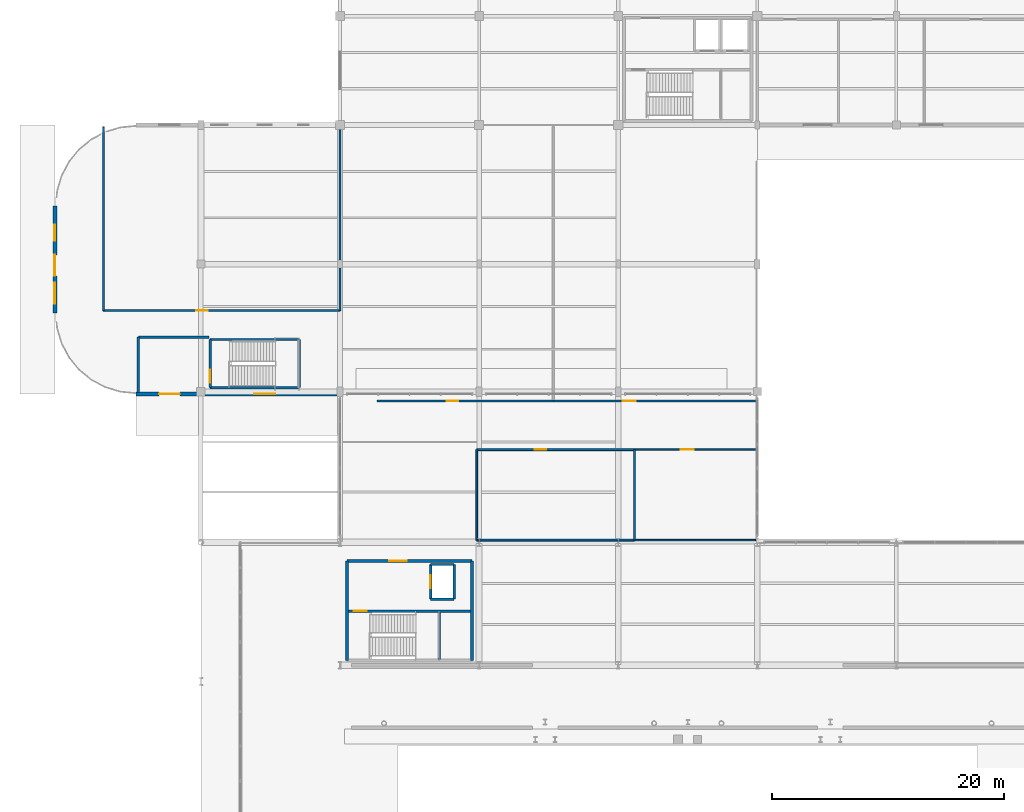
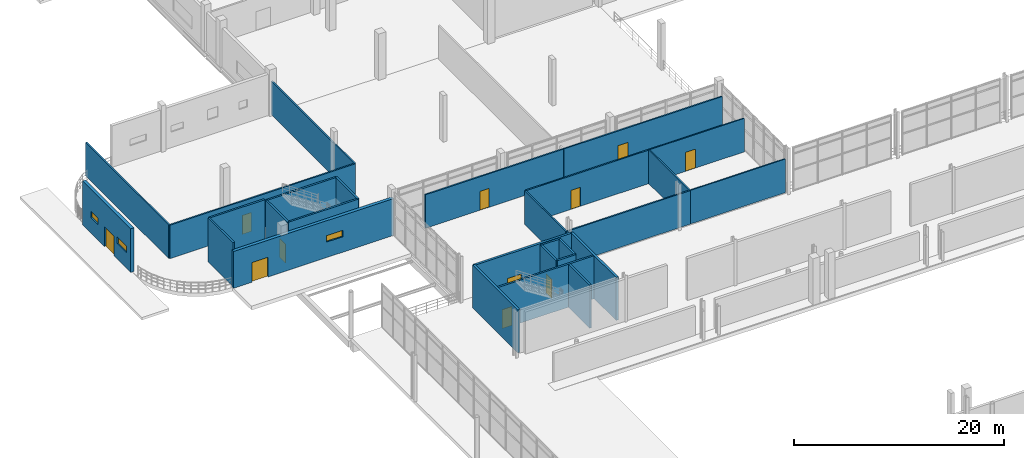
# One storey, part 59 of 85: 28 walls, 11 doors, 3 windows, 14 openings.
"""IFC4 building model written with IfcOpenShell, lengths in metres."""

from ifc_helpers import new_model, si_unit, direction, frame, frame_2d, origin, place, context, subcontext, project, spatial, rectangle, extrude, material, layer, layer_set, type_object, element, fill, save


model = new_model("IFC4")

# Units and contexts
model_context = context("Model", 3, precision=1e-05, world=origin(), true_north=direction((0.0, 1.0)))
body_context = subcontext(model_context, "Body", "Model", "MODEL_VIEW")
ifc_project = project(units=[si_unit("LENGTHUNIT", "METRE"), si_unit("AREAUNIT", "SQUARE_METRE"), si_unit("VOLUMEUNIT", "CUBIC_METRE"), si_unit("PLANEANGLEUNIT", "RADIAN"), si_unit("MASSUNIT", "GRAM", prefix="KILO"), si_unit("THERMODYNAMICTEMPERATUREUNIT", "KELVIN"), si_unit("POWERUNIT", "WATT")], contexts=[model_context])

# Site, building, storey
site_placement = place(None, origin())
site = spatial("IfcSite", under=ifc_project, at=site_placement, CompositionType="ELEMENT")
building_placement = place(site_placement, origin())
building = spatial("IfcBuilding", under=site, at=building_placement, Name="Solmara Park Aquatics Centre", CompositionType="ELEMENT")
storey_placement = place(building_placement, origin())
storey = spatial("IfcBuildingStorey", under=building, at=storey_placement, Name="L00", CompositionType="ELEMENT", Elevation=0.0)

# Wall
ifc_material_1 = material(Name="Double-Stud Acoustic Gypsum Partition", Category="gypsum")
ifc_layer_1 = layer(ifc_material_1, 0.139892578125, Name="Double-Stud Acoustic Gypsum Partition")
ifc_layer_set_1 = layer_set([ifc_layer_1], Name="Double-Stud Acoustic Gypsum Partition")
wall_type_1 = type_object("IfcWallType", Name="ARC-WL-ACU140", PredefinedType="PARTITIONING", material=ifc_layer_set_1)
wall_1_placement = place(storey_placement, frame((50.010009765625, 72.800048828125, 0.0), z_axis=(0.0, 0.0, 1.0), x_axis=(1.0, 0.0, 0.0)))
element("IfcWall", 1, at=wall_1_placement, inside=storey, type_object=wall_type_1, Name="Interior Partition IW-L00-0071 (L00-DOP-01)", PredefinedType="PARTITIONING", context=body_context, shape_type="SweptSolid", body=[
    extrude(rectangle(XDim=10.43994140625, YDim=0.139892578125, at=frame_2d((5.219970703125, 0.0))), origin(), (0.0, 0.0, 1.0), 3.89990234375),
])

# Wall, opening, door
wall_2_placement = place(storey_placement, frame((50.010009765625, 80.60009765625, 0.0), z_axis=(0.0, 0.0, 1.0), x_axis=(1.0, 0.0, 0.0)))
wall_2 = element("IfcWall", 2, at=wall_2_placement, inside=storey, type_object=wall_type_1, Name="Interior Partition IW-L00-0072 (L00-DOP-01)", PredefinedType="PARTITIONING", context=body_context, shape_type="SweptSolid", body=[
    extrude(rectangle(XDim=10.43994140625, YDim=0.139892578125, at=frame_2d((5.219970703125, 0.0))), origin(), (0.0, 0.0, 1.0), 3.89990234375),
])
opening_1_placement = place(wall_2_placement, frame((3.989990234375, 0.0, 0.0)))
opening_1 = element("IfcOpeningElement", 3, at=opening_1_placement, cuts=wall_2, Name="Opening D-15", PredefinedType="OPENING", context=body_context, shape_type="SweptSolid", body=[
    extrude(rectangle(XDim=1.10009765625, YDim=2.199951171875, at=frame_2d((0.550048828125, 1.10009765625))), frame((0.0, 0.079833984375, 0.0), z_axis=(0.0, -1.0, 0.0), x_axis=(1.0, 0.0, 0.0)), (0.0, 0.0, 1.0), 0.159912109375),
])
ifc_material_2 = material(Name="Moisture-Resistant HPL & Hardwood", Category="wood")
door_type_1 = type_object("IfcDoorType", Name="ARC-DR-SGL110x220", OperationType="NOTDEFINED", PredefinedType="DOOR", material=ifc_material_2)
door_1_placement = place(opening_1_placement, origin())
door_1 = element("IfcDoor", 4, at=door_1_placement, inside=storey, type_object=door_type_1, Name="Doping Control, Specimen Chaperone and First Aid Medical Suite Door", OperationType="SINGLE_SWING_RIGHT", OverallHeight=2.199951171875, OverallWidth=1.10009765625, PredefinedType="DOOR", context=body_context, shape_type="SweptSolid", body=[
    extrude(rectangle(XDim=1.10009765625, YDim=2.199951171875, at=frame_2d((0.550048828125, 1.10009765625))), frame((0.0, 0.02490234375, 0.0), z_axis=(0.0, -1.0, 0.0), x_axis=(1.0, 0.0, 0.0)), (0.0, 0.0, 1.0), 0.050048828125),
])
fill(opening_1, door_1)

ifc_material_3 = material(Name="Concrete C40/50", Category="concrete")
ifc_layer_2 = layer(ifc_material_3, 0.25, Name="Concrete C40/50")
ifc_layer_set_2 = layer_set([ifc_layer_2], Name="Concrete C40/50")
wall_type_2 = type_object("IfcWallType", Name="ARC-WL-CORE250", PredefinedType="SHEAR", material=ifc_layer_set_2)
wall_3_placement = place(storey_placement, frame((25.199951171875, 71.0, 0.0), z_axis=(0.0, 0.0, 1.0), x_axis=(1.0, 0.0, 0.0)))
wall_3 = element("IfcWall", 5, at=wall_3_placement, inside=storey, type_object=wall_type_2, Name="CORE-4 Core Wall N L00", PredefinedType="SHEAR", context=body_context, shape_type="SweptSolid", body=[
    extrude(rectangle(XDim=10.800048828125, YDim=0.25, at=frame_2d((5.39990234375, 0.0))), origin(), (0.0, 0.0, 1.0), 5.0),
])
opening_2_placement = place(wall_3_placement, frame((3.64990234375, 0.0, 0.0)))
opening_2 = element("IfcOpeningElement", 6, at=opening_2_placement, cuts=wall_3, Name="Opening D-12", PredefinedType="OPENING", context=body_context, shape_type="SweptSolid", body=[
    extrude(rectangle(XDim=1.5, YDim=2.199951171875, at=frame_2d((0.75, 1.10009765625))), frame((0.0, 0.135009765625, 0.0), z_axis=(0.0, -1.0, 0.0), x_axis=(1.0, 0.0, 0.0)), (0.0, 0.0, 1.0), 0.27001953125),
])
door_type_2 = type_object("IfcDoorType", Name="ARC-DR-FD150x220", OperationType="DOUBLE_DOOR_SINGLE_SWING", PredefinedType="DOOR", material=ifc_material_2)
door_2_placement = place(opening_2_placement, origin())
door_2 = element("IfcDoor", 7, at=door_2_placement, inside=storey, type_object=door_type_2, Name="CORE-4 Lobby Entry Fire Door L00", OperationType="DOUBLE_DOOR_SINGLE_SWING", OverallHeight=2.199951171875, OverallWidth=1.5, PredefinedType="DOOR", context=body_context, shape_type="SweptSolid", body=[
    extrude(rectangle(XDim=1.5, YDim=2.199951171875, at=frame_2d((0.75, 1.10009765625))), frame((0.0, 0.02490234375, 0.0), z_axis=(0.0, -1.0, 0.0), x_axis=(1.0, 0.0, 0.0)), (0.0, 0.0, 1.0), 0.050048828125),
])
fill(opening_2, door_2)

# Walls
for number, where, z_axis, x_axis, name in (
    (8, (25.199951171875, 62.39990234375, 0.0), (0.0, 0.0, 1.0), (0.0, 1.0, 0.0), "CORE-4 Core Wall W L00"),
    (9, (36.0, 62.39990234375, 0.0), (0.0, 0.0, 1.0), (0.0, 1.0, 0.0), "CORE-4 Core Wall E L00"),
):
    element("IfcWall", number, at=place(storey_placement, frame(where, z_axis=z_axis, x_axis=x_axis)), inside=storey, type_object=wall_type_2, Name=name, PredefinedType="SHEAR", context=body_context, shape_type="SweptSolid", body=[
        extrude(rectangle(XDim=8.60009765625, YDim=0.25, at=frame_2d((4.300048828125, 0.0))), origin(), (0.0, 0.0, 1.0), 5.0),
    ])

# Wall, openings, door, window
ifc_material_4 = material(Name="Insulated Limestone Render Wall", Category="masonry")
ifc_layer_3 = layer(ifc_material_4, 0.35009765625, Name="Insulated Limestone Render Wall")
ifc_layer_set_3 = layer_set([ifc_layer_3], Name="Insulated Limestone Render Wall")
wall_type_3 = type_object("IfcWallType", Name="ARC-WL-EXT350", PredefinedType="SOLIDWALL", material=ifc_layer_set_3)
wall_4_placement = place(storey_placement, frame((7.0, 85.39990234375, 0.0), z_axis=(0.0, 0.0, 1.0), x_axis=(1.0, 0.0, 0.0)))
wall_4 = element("IfcWall", 10, at=wall_4_placement, inside=storey, type_object=wall_type_3, Name="Exterior Facade Wall EW-L00-011", PredefinedType="SOLIDWALL", context=body_context, shape_type="SweptSolid", body=[
    extrude(rectangle(XDim=17.60009765625, YDim=0.35009765625, at=frame_2d((8.800048828125, 0.0))), origin(), (0.0, 0.0, 1.0), 4.280029296875),
])
opening_3_placement = place(wall_4_placement, frame((2.0, 0.0, 0.0)))
opening_3 = element("IfcOpeningElement", 11, at=opening_3_placement, cuts=wall_4, Name="Opening D-03", PredefinedType="OPENING", context=body_context, shape_type="SweptSolid", body=[
    extrude(rectangle(XDim=1.800048828125, YDim=2.300048828125, at=frame_2d((0.89990234375, 1.14990234375))), frame((0.0, 0.18505859375, 0.0), z_axis=(0.0, -1.0, 0.0), x_axis=(1.0, 0.0, 0.0)), (0.0, 0.0, 1.0), 0.3701171875),
])
opening_4_placement = place(wall_4_placement, frame((10.199951171875, 0.0, 1.800048828125)))
opening_4 = element("IfcOpeningElement", 12, at=opening_4_placement, cuts=wall_4, Name="Opening W-30", PredefinedType="OPENING", context=body_context, shape_type="SweptSolid", body=[
    extrude(rectangle(XDim=1.800048828125, YDim=0.75, at=frame_2d((0.89990234375, 0.375))), frame((0.0, 0.18505859375, 0.0), z_axis=(0.0, -1.0, 0.0), x_axis=(1.0, 0.0, 0.0)), (0.0, 0.0, 1.0), 0.3701171875),
])
ifc_material_5 = material(Name="Thermally Broken Powder-Coated Aluminium and Laminated Glass", Category="aluminium")
door_type_3 = type_object("IfcDoorType", Name="ARC-DR-EXT180x230", OperationType="DOUBLE_DOOR_SINGLE_SWING", PredefinedType="DOOR", material=ifc_material_5)
door_3_placement = place(opening_3_placement, frame((1.800048828125, 0.0, 0.0), z_axis=(0.0, 0.0, 1.0), x_axis=(-1.0, 0.0, 0.0)))
door_3 = element("IfcDoor", 13, at=door_3_placement, inside=storey, type_object=door_type_3, Name="ST-08 Oasis Court Final Exit (EX-13)", OperationType="DOUBLE_DOOR_SINGLE_SWING", OverallHeight=2.300048828125, OverallWidth=1.800048828125, PredefinedType="DOOR", context=body_context, shape_type="SweptSolid", body=[
    extrude(rectangle(XDim=1.800048828125, YDim=2.300048828125, at=frame_2d((0.89990234375, 1.14990234375))), frame((0.0, 0.02490234375, 0.0), z_axis=(0.0, -1.0, 0.0), x_axis=(1.0, 0.0, 0.0)), (0.0, 0.0, 1.0), 0.050048828125),
])
fill(opening_3, door_3)
ifc_material_6 = material(Name="Thermally Broken Aluminium and Low-E Double Glazing", Category="aluminium")
window_type_1 = type_object("IfcWindowType", Name="ARC-WN-180x075", PartitioningType="SINGLE_PANEL", PredefinedType="WINDOW", material=ifc_material_6)
window_1_placement = place(opening_4_placement, frame((1.800048828125, 0.0, 0.0), z_axis=(0.0, 0.0, 1.0), x_axis=(-1.0, 0.0, 0.0)))
window_1 = element("IfcWindow", 14, at=window_1_placement, inside=storey, type_object=window_type_1, Name="Ribbon Window WN-025", OverallHeight=0.75, OverallWidth=1.800048828125, PartitioningType="SINGLE_PANEL", PredefinedType="WINDOW", context=body_context, shape_type="SweptSolid", body=[
    extrude(rectangle(XDim=1.800048828125, YDim=0.75, at=frame_2d((0.89990234375, 0.375))), frame((0.0, 0.030029296875, 0.0), z_axis=(0.0, -1.0, 0.0), x_axis=(1.0, 0.0, 0.0)), (0.0, 0.0, 1.0), 0.06005859375),
])
fill(opening_4, window_1)

# Wall, openings, door, windows
wall_5_placement = place(storey_placement, frame((0.0, 92.39990234375, 0.0), z_axis=(0.0, 0.0, 1.0), x_axis=(0.0, 1.0, 0.0)))
wall_5 = element("IfcWall", 15, at=wall_5_placement, inside=storey, type_object=wall_type_3, Name="Exterior Facade Wall EW-L00-013", PredefinedType="SOLIDWALL", context=body_context, shape_type="SweptSolid", body=[
    extrude(rectangle(XDim=9.2001953125, YDim=0.35009765625, at=frame_2d((4.60009765625, 0.0))), origin(), (0.0, 0.0, 1.0), 5.080078125),
])
opening_5_placement = place(wall_5_placement, frame((3.199951171875, 0.0, 0.0)))
opening_5 = element("IfcOpeningElement", 16, at=opening_5_placement, cuts=wall_5, Name="Opening D-03", PredefinedType="OPENING", context=body_context, shape_type="SweptSolid", body=[
    extrude(rectangle(XDim=1.800048828125, YDim=2.300048828125, at=frame_2d((0.89990234375, 1.14990234375))), frame((0.0, 0.18505859375, 0.0), z_axis=(0.0, -1.0, 0.0), x_axis=(1.0, 0.0, 0.0)), (0.0, 0.0, 1.0), 0.3701171875),
])
opening_6_placement = place(wall_5_placement, frame((0.800048828125, 0.0, 1.800048828125)))
opening_6 = element("IfcOpeningElement", 17, at=opening_6_placement, cuts=wall_5, Name="Opening W-30", PredefinedType="OPENING", context=body_context, shape_type="SweptSolid", body=[
    extrude(rectangle(XDim=1.800048828125, YDim=0.75, at=frame_2d((0.89990234375, 0.375))), frame((0.0, 0.18505859375, 0.0), z_axis=(0.0, -1.0, 0.0), x_axis=(1.0, 0.0, 0.0)), (0.0, 0.0, 1.0), 0.3701171875),
])
opening_7_placement = place(wall_5_placement, frame((6.199951171875, 0.0, 1.800048828125)))
opening_7 = element("IfcOpeningElement", 18, at=opening_7_placement, cuts=wall_5, Name="Opening W-31", PredefinedType="OPENING", context=body_context, shape_type="SweptSolid", body=[
    extrude(rectangle(XDim=1.39990234375, YDim=0.75, at=frame_2d((0.699951171875, 0.375))), frame((0.0, 0.18505859375, 0.0), z_axis=(0.0, -1.0, 0.0), x_axis=(1.0, 0.0, 0.0)), (0.0, 0.0, 1.0), 0.3701171875),
])
door_4_placement = place(opening_5_placement, origin())
door_4 = element("IfcDoor", 19, at=door_4_placement, inside=storey, type_object=door_type_3, Name="West Changing ST-08 Final Exit (EX-14)", OperationType="DOUBLE_DOOR_SINGLE_SWING", OverallHeight=2.300048828125, OverallWidth=1.800048828125, PredefinedType="DOOR", context=body_context, shape_type="SweptSolid", body=[
    extrude(rectangle(XDim=1.800048828125, YDim=2.300048828125, at=frame_2d((0.89990234375, 1.14990234375))), frame((0.0, 0.02490234375, 0.0), z_axis=(0.0, -1.0, 0.0), x_axis=(1.0, 0.0, 0.0)), (0.0, 0.0, 1.0), 0.050048828125),
])
fill(opening_5, door_4)
window_type_2 = type_object("IfcWindowType", Name="ARC-WN-140x075", PartitioningType="SINGLE_PANEL", PredefinedType="WINDOW", material=ifc_material_6)
window_2_placement = place(opening_7_placement, origin())
window_2 = element("IfcWindow", 20, at=window_2_placement, inside=storey, type_object=window_type_2, Name="Ribbon Window WN-029", OverallHeight=0.75, OverallWidth=1.39990234375, PartitioningType="SINGLE_PANEL", PredefinedType="WINDOW", context=body_context, shape_type="SweptSolid", body=[
    extrude(rectangle(XDim=1.39990234375, YDim=0.75, at=frame_2d((0.699951171875, 0.375))), frame((0.0, 0.030029296875, 0.0), z_axis=(0.0, -1.0, 0.0), x_axis=(1.0, 0.0, 0.0)), (0.0, 0.0, 1.0), 0.06005859375),
])
fill(opening_7, window_2)
window_3_placement = place(opening_6_placement, origin())
window_3 = element("IfcWindow", 21, at=window_3_placement, inside=storey, type_object=window_type_1, Name="Ribbon Window WN-028", OverallHeight=0.75, OverallWidth=1.800048828125, PartitioningType="SINGLE_PANEL", PredefinedType="WINDOW", context=body_context, shape_type="SweptSolid", body=[
    extrude(rectangle(XDim=1.800048828125, YDim=0.75, at=frame_2d((0.89990234375, 0.375))), frame((0.0, 0.030029296875, 0.0), z_axis=(0.0, -1.0, 0.0), x_axis=(1.0, 0.0, 0.0)), (0.0, 0.0, 1.0), 0.06005859375),
])
fill(opening_6, window_3)

# Wall, opening, door
ifc_material_7 = material(Name="Concrete C25/30 Autoclaved Aerated Fire Blockwork", Category="masonry")
ifc_layer_4 = layer(ifc_material_7, 0.199951171875, Name="Concrete C25/30 Autoclaved Aerated Fire Blockwork")
ifc_layer_set_4 = layer_set([ifc_layer_4], Name="Concrete C25/30 Autoclaved Aerated Fire Blockwork")
wall_type_4 = type_object("IfcWallType", Name="ARC-WL-FIRE200", PredefinedType="SOLIDWALL", material=ifc_layer_set_4)
wall_6_placement = place(storey_placement, frame((32.419921875, 67.699951171875, 0.0), z_axis=(0.0, 0.0, 1.0), x_axis=(0.0, 1.0, 0.0)))
wall_6 = element("IfcWall", 22, at=wall_6_placement, inside=storey, type_object=wall_type_4, Name="CORE-4 Lift Shaft Front Wall L00", PredefinedType="SOLIDWALL", context=body_context, shape_type="SweptSolid", body=[
    extrude(rectangle(XDim=3.0, YDim=0.199951171875, at=frame_2d((1.5, 0.0))), origin(), (0.0, 0.0, 1.0), 5.0),
])
opening_8_placement = place(wall_6_placement, frame((0.949951171875, 0.0, 0.0)))
opening_8 = element("IfcOpeningElement", 23, at=opening_8_placement, cuts=wall_6, Name="Opening D-09", PredefinedType="OPENING", context=body_context, shape_type="SweptSolid", body=[
    extrude(rectangle(XDim=1.10009765625, YDim=2.199951171875, at=frame_2d((0.550048828125, 1.10009765625))), frame((0.0, 0.10986328125, 0.0), z_axis=(0.0, -1.0, 0.0), x_axis=(1.0, 0.0, 0.0)), (0.0, 0.0, 1.0), 0.219970703125),
])
ifc_material_8 = material(Name="Stainless Steel", Category="steel")
door_type_4 = type_object("IfcDoorType", Name="ARC-DR-LD110x220", OperationType="DOUBLE_DOOR_SLIDING", PredefinedType="DOOR", material=ifc_material_8)
door_5_placement = place(opening_8_placement, origin())
door_5 = element("IfcDoor", 24, at=door_5_placement, inside=storey, type_object=door_type_4, Name="LF-06 Lift Landing Door L00", OperationType="DOUBLE_DOOR_SLIDING", OverallHeight=2.199951171875, OverallWidth=1.10009765625, PredefinedType="DOOR", context=body_context, shape_type="SweptSolid", body=[
    extrude(rectangle(XDim=1.10009765625, YDim=2.199951171875, at=frame_2d((0.550048828125, 1.10009765625))), frame((0.0, 0.02490234375, 0.0), z_axis=(0.0, -1.0, 0.0), x_axis=(1.0, 0.0, 0.0)), (0.0, 0.0, 1.0), 0.050048828125),
])
fill(opening_8, door_5)

# Walls
wall_7_placement = place(storey_placement, frame((34.449951171875, 67.699951171875, 0.0), z_axis=(0.0, 0.0, 1.0), x_axis=(0.0, 1.0, 0.0)))
element("IfcWall", 25, at=wall_7_placement, inside=storey, type_object=wall_type_4, Name="LF-06 Lift Shaft East Wall L00", PredefinedType="SOLIDWALL", context=body_context, shape_type="SweptSolid", body=[
    extrude(rectangle(XDim=3.0, YDim=0.199951171875, at=frame_2d((1.5, 0.0))), origin(), (0.0, 0.0, 1.0), 5.0),
])
for number, where, z_axis, x_axis, name in (
    (26, (32.419921875, 67.699951171875, 0.0), (0.0, 0.0, 1.0), (1.0, 0.0, 0.0), "LF-06 Lift Shaft South Wall L00"),
    (27, (32.419921875, 70.699951171875, 0.0), (0.0, 0.0, 1.0), (1.0, 0.0, 0.0), "LF-06 Lift Shaft North Wall L00"),
):
    element("IfcWall", number, at=place(storey_placement, frame(where, z_axis=z_axis, x_axis=x_axis)), inside=storey, type_object=wall_type_4, Name=name, PredefinedType="SOLIDWALL", context=body_context, shape_type="SweptSolid", body=[
        extrude(rectangle(XDim=2.030029296875, YDim=0.199951171875, at=frame_2d((1.01513671875, 0.0))), origin(), (0.0, 0.0, 1.0), 5.0),
    ])
wall_8_placement = place(storey_placement, frame((7.199951171875, 90.300048828125, 0.0), z_axis=(0.0, 0.0, 1.0), x_axis=(1.0, 0.0, 0.0)))
element("IfcWall", 28, at=wall_8_placement, inside=storey, type_object=wall_type_4, Name="ST-08 Protected Exit Lobby North Wall", PredefinedType="SOLIDWALL", context=body_context, shape_type="SweptSolid", body=[
    extrude(rectangle(XDim=6.10009765625, YDim=0.199951171875, at=frame_2d((3.050048828125, 0.0))), origin(), (0.0, 0.0, 1.0), 5.080078125),
])
wall_9_placement = place(storey_placement, frame((7.199951171875, 85.550048828125, 0.0), z_axis=(0.0, 0.0, 1.0), x_axis=(0.0, 1.0, 0.0)))
element("IfcWall", 29, at=wall_9_placement, inside=storey, type_object=wall_type_4, Name="ST-08 Protected Exit Lobby West Wall", PredefinedType="SOLIDWALL", context=body_context, shape_type="SweptSolid", body=[
    extrude(rectangle(XDim=4.75, YDim=0.199951171875, at=frame_2d((2.375, 0.0))), origin(), (0.0, 0.0, 1.0), 5.080078125),
])
ifc_material_9 = material(Name="Waterproof Tile-Faced Wet-Area Plumbing Wall", Category="concrete")
ifc_layer_5 = layer(ifc_material_9, 0.159912109375, Name="Waterproof Tile-Faced Wet-Area Plumbing Wall")
ifc_layer_set_5 = layer_set([ifc_layer_5], Name="Waterproof Tile-Faced Wet-Area Plumbing Wall")
wall_type_5 = type_object("IfcWallType", Name="ARC-WL-WET160", PredefinedType="PLUMBINGWALL", material=ifc_layer_set_5)
wall_10_placement = place(storey_placement, frame((4.199951171875, 92.60009765625, 0.0), z_axis=(0.0, 0.0, 1.0), x_axis=(0.0, 1.0, 0.0)))
element("IfcWall", 30, at=wall_10_placement, inside=storey, type_object=wall_type_5, Name="Interior Partition IW-L00-0061 (L00-CHG-M1)", PredefinedType="PLUMBINGWALL", context=body_context, shape_type="SweptSolid", body=[
    extrude(rectangle(XDim=15.849853515625, YDim=0.159912109375, at=frame_2d((7.9248046875, 0.0))), origin(), (0.0, 0.0, 1.0), 3.89990234375),
])

# Wall, opening, door
wall_11_placement = place(storey_placement, frame((4.199951171875, 92.60009765625, 0.0), z_axis=(0.0, 0.0, 1.0), x_axis=(1.0, 0.0, 0.0)))
wall_11 = element("IfcWall", 31, at=wall_11_placement, inside=storey, type_object=wall_type_5, Name="Interior Partition IW-L00-0062 (L00-CHG-M1)", PredefinedType="PLUMBINGWALL", context=body_context, shape_type="SweptSolid", body=[
    extrude(rectangle(XDim=20.400146484375, YDim=0.159912109375, at=frame_2d((10.2001953125, 0.0))), origin(), (0.0, 0.0, 1.0), 3.89990234375),
])
opening_9_placement = place(wall_11_placement, frame((8.0, 0.0, 0.0)))
opening_9 = element("IfcOpeningElement", 32, at=opening_9_placement, cuts=wall_11, Name="Opening D-16", PredefinedType="OPENING", context=body_context, shape_type="SweptSolid", body=[
    extrude(rectangle(XDim=1.0, YDim=2.199951171875, at=frame_2d((0.5, 1.10009765625))), frame((0.0, 0.08984375, 0.0), z_axis=(0.0, -1.0, 0.0), x_axis=(1.0, 0.0, 0.0)), (0.0, 0.0, 1.0), 0.179931640625),
])
door_type_5 = type_object("IfcDoorType", Name="ARC-DR-SGL100x220", OperationType="NOTDEFINED", PredefinedType="DOOR", material=ifc_material_2)
door_6_placement = place(opening_9_placement, origin())
door_6 = element("IfcDoor", 33, at=door_6_placement, inside=storey, type_object=door_type_5, Name="Public Male Wet/Dry Changing Village and Showers Door", OperationType="SINGLE_SWING_RIGHT", OverallHeight=2.199951171875, OverallWidth=1.0, PredefinedType="DOOR", context=body_context, shape_type="SweptSolid", body=[
    extrude(rectangle(XDim=1.0, YDim=2.199951171875, at=frame_2d((0.5, 1.10009765625))), frame((0.0, 0.02490234375, 0.0), z_axis=(0.0, -1.0, 0.0), x_axis=(1.0, 0.0, 0.0)), (0.0, 0.0, 1.0), 0.050048828125),
])
fill(opening_9, door_6)

# Wall
wall_12_placement = place(storey_placement, frame((24.60009765625, 92.60009765625, 0.0), z_axis=(0.0, 0.0, 1.0), x_axis=(0.0, 1.0, 0.0)))
element("IfcWall", 34, at=wall_12_placement, inside=storey, type_object=wall_type_5, Name="Interior Partition IW-L00-0063 (L00-CHG-M1)", PredefinedType="PLUMBINGWALL", context=body_context, shape_type="SweptSolid", body=[
    extrude(rectangle(XDim=15.824951171875, YDim=0.159912109375, at=frame_2d((7.91259765625, 0.0))), origin(), (0.0, 0.0, 1.0), 3.89990234375),
])

# Wall, opening, door
wall_13_placement = place(storey_placement, frame((27.800048828125, 84.800048828125, 0.0), z_axis=(0.0, 0.0, 1.0), x_axis=(1.0, 0.0, 0.0)))
wall_13 = element("IfcWall", 35, at=wall_13_placement, inside=storey, type_object=wall_type_5, Name="Interior Partition IW-L00-0064 (L00-CHG-F1)", PredefinedType="PLUMBINGWALL", context=body_context, shape_type="SweptSolid", body=[
    extrude(rectangle(XDim=15.199951171875, YDim=0.159912109375, at=frame_2d((7.60009765625, 0.0))), origin(), (0.0, 0.0, 1.0), 3.89990234375),
])
opening_10_placement = place(wall_13_placement, frame((6.0, 0.0, 0.0)))
opening_10 = element("IfcOpeningElement", 36, at=opening_10_placement, cuts=wall_13, Name="Opening D-16", PredefinedType="OPENING", context=body_context, shape_type="SweptSolid", body=[
    extrude(rectangle(XDim=1.0, YDim=2.199951171875, at=frame_2d((0.5, 1.10009765625))), frame((0.0, 0.08984375, 0.0), z_axis=(0.0, -1.0, 0.0), x_axis=(1.0, 0.0, 0.0)), (0.0, 0.0, 1.0), 0.179931640625),
])
door_7_placement = place(opening_10_placement, origin())
door_7 = element("IfcDoor", 37, at=door_7_placement, inside=storey, type_object=door_type_5, Name="Public Female Wet/Dry Changing Village and Showers Door", OperationType="SINGLE_SWING_LEFT", OverallHeight=2.199951171875, OverallWidth=1.0, PredefinedType="DOOR", context=body_context, shape_type="SweptSolid", body=[
    extrude(rectangle(XDim=1.0, YDim=2.199951171875, at=frame_2d((0.5, 1.10009765625))), frame((0.0, 0.02490234375, 0.0), z_axis=(0.0, -1.0, 0.0), x_axis=(1.0, 0.0, 0.0)), (0.0, 0.0, 1.0), 0.050048828125),
])
fill(opening_10, door_7)

wall_14_placement = place(storey_placement, frame((43.010009765625, 84.800048828125, 0.0), z_axis=(0.0, 0.0, 1.0), x_axis=(1.0, 0.0, 0.0)))
wall_14 = element("IfcWall", 38, at=wall_14_placement, inside=storey, type_object=wall_type_5, Name="Interior Partition IW-L00-0066 (L00-CHG-FAM)", PredefinedType="PLUMBINGWALL", context=body_context, shape_type="SweptSolid", body=[
    extrude(rectangle(XDim=17.43994140625, YDim=0.159912109375, at=frame_2d((8.719970703125, 0.0))), origin(), (0.0, 0.0, 1.0), 3.89990234375),
])
opening_11_placement = place(wall_14_placement, frame((5.989990234375, 0.0, 0.0)))
opening_11 = element("IfcOpeningElement", 39, at=opening_11_placement, cuts=wall_14, Name="Opening D-15", PredefinedType="OPENING", context=body_context, shape_type="SweptSolid", body=[
    extrude(rectangle(XDim=1.10009765625, YDim=2.199951171875, at=frame_2d((0.550048828125, 1.10009765625))), frame((0.0, 0.08984375, 0.0), z_axis=(0.0, -1.0, 0.0), x_axis=(1.0, 0.0, 0.0)), (0.0, 0.0, 1.0), 0.179931640625),
])
door_8_placement = place(opening_11_placement, origin())
door_8 = element("IfcDoor", 40, at=door_8_placement, inside=storey, type_object=door_type_1, Name="Family and Accessible Changing Cubicles Village Door", OperationType="SINGLE_SWING_RIGHT", OverallHeight=2.199951171875, OverallWidth=1.10009765625, PredefinedType="DOOR", context=body_context, shape_type="SweptSolid", body=[
    extrude(rectangle(XDim=1.10009765625, YDim=2.199951171875, at=frame_2d((0.550048828125, 1.10009765625))), frame((0.0, 0.02490234375, 0.0), z_axis=(0.0, -1.0, 0.0), x_axis=(1.0, 0.0, 0.0)), (0.0, 0.0, 1.0), 0.050048828125),
])
fill(opening_11, door_8)

# Walls
wall_15_placement = place(storey_placement, frame((36.39990234375, 72.800048828125, 0.0), z_axis=(0.0, 0.0, 1.0), x_axis=(0.0, 1.0, 0.0)))
element("IfcWall", 41, at=wall_15_placement, inside=storey, type_object=wall_type_5, Name="Interior Partition IW-L00-0067 (L00-CHG-ATH)", PredefinedType="PLUMBINGWALL", context=body_context, shape_type="SweptSolid", body=[
    extrude(rectangle(XDim=7.800048828125, YDim=0.159912109375, at=frame_2d((3.89990234375, 0.0))), origin(), (0.0, 0.0, 1.0), 3.89990234375),
])
wall_16_placement = place(storey_placement, frame((36.39990234375, 72.800048828125, 0.0), z_axis=(0.0, 0.0, 1.0), x_axis=(1.0, 0.0, 0.0)))
element("IfcWall", 42, at=wall_16_placement, inside=storey, type_object=wall_type_5, Name="Interior Partition IW-L00-0068 (L00-CHG-ATH)", PredefinedType="PLUMBINGWALL", context=body_context, shape_type="SweptSolid", body=[
    extrude(rectangle(XDim=13.60009765625, YDim=0.159912109375, at=frame_2d((6.800048828125, 0.0))), origin(), (0.0, 0.0, 1.0), 3.89990234375),
])

# Wall, opening, door
wall_17_placement = place(storey_placement, frame((36.39990234375, 80.60009765625, 0.0), z_axis=(0.0, 0.0, 1.0), x_axis=(1.0, 0.0, 0.0)))
wall_17 = element("IfcWall", 43, at=wall_17_placement, inside=storey, type_object=wall_type_5, Name="Interior Partition IW-L00-0069 (L00-CHG-ATH)", PredefinedType="PLUMBINGWALL", context=body_context, shape_type="SweptSolid", body=[
    extrude(rectangle(XDim=13.60009765625, YDim=0.159912109375, at=frame_2d((6.800048828125, 0.0))), origin(), (0.0, 0.0, 1.0), 3.89990234375),
])
opening_12_placement = place(wall_17_placement, frame((5.0, 0.0, 0.0)))
opening_12 = element("IfcOpeningElement", 44, at=opening_12_placement, cuts=wall_17, Name="Opening D-16", PredefinedType="OPENING", context=body_context, shape_type="SweptSolid", body=[
    extrude(rectangle(XDim=1.0, YDim=2.199951171875, at=frame_2d((0.5, 1.10009765625))), frame((0.0, 0.08984375, 0.0), z_axis=(0.0, -1.0, 0.0), x_axis=(1.0, 0.0, 0.0)), (0.0, 0.0, 1.0), 0.179931640625),
])
door_9_placement = place(opening_12_placement, origin())
door_9 = element("IfcDoor", 45, at=door_9_placement, inside=storey, type_object=door_type_5, Name="Competition Athlete Changing and Pre-Swim Shower Suite Door", OperationType="SINGLE_SWING_LEFT", OverallHeight=2.199951171875, OverallWidth=1.0, PredefinedType="DOOR", context=body_context, shape_type="SweptSolid", body=[
    extrude(rectangle(XDim=1.0, YDim=2.199951171875, at=frame_2d((0.5, 1.10009765625))), frame((0.0, 0.02490234375, 0.0), z_axis=(0.0, -1.0, 0.0), x_axis=(1.0, 0.0, 0.0)), (0.0, 0.0, 1.0), 0.050048828125),
])
fill(opening_12, door_9)

# Wall
wall_18_placement = place(storey_placement, frame((50.0, 72.800048828125, 0.0), z_axis=(0.0, 0.0, 1.0), x_axis=(0.0, 1.0, 0.0)))
element("IfcWall", 46, at=wall_18_placement, inside=storey, type_object=wall_type_5, Name="Interior Partition IW-L00-0070 (L00-CHG-ATH)", PredefinedType="PLUMBINGWALL", context=body_context, shape_type="SweptSolid", body=[
    extrude(rectangle(XDim=7.800048828125, YDim=0.159912109375, at=frame_2d((3.89990234375, 0.0))), origin(), (0.0, 0.0, 1.0), 3.89990234375),
])

# Wall, opening, door
ifc_material_10 = material(Name="Concrete C35/45", Category="concrete")
ifc_layer_6 = layer(ifc_material_10, 0.199951171875, Name="Concrete C35/45")
ifc_layer_set_6 = layer_set([ifc_layer_6], Name="Concrete C35/45")
wall_type_6 = type_object("IfcWallType", Name="STR-WL-STAIR200", PredefinedType="SHEAR", material=ifc_layer_set_6)
wall_19_placement = place(storey_placement, frame((25.320068359375, 66.675048828125, 0.0), z_axis=(0.0, 0.0, 1.0), x_axis=(1.0, 0.0, 0.0)))
wall_19 = element("IfcWall", 47, at=wall_19_placement, inside=storey, type_object=wall_type_6, Name="CORE-4 Stairwell Compartment Wall L00", PredefinedType="SHEAR", context=body_context, shape_type="SweptSolid", body=[
    extrude(rectangle(XDim=10.559814453125, YDim=0.199951171875, at=frame_2d((5.27978515625, 0.0))), origin(), (0.0, 0.0, 1.0), 5.0),
])
opening_13_placement = place(wall_19_placement, frame((0.47998046875, 0.0, 0.0)))
opening_13 = element("IfcOpeningElement", 48, at=opening_13_placement, cuts=wall_19, Name="Opening D-11", PredefinedType="OPENING", context=body_context, shape_type="SweptSolid", body=[
    extrude(rectangle(XDim=1.10009765625, YDim=2.199951171875, at=frame_2d((0.550048828125, 1.10009765625))), frame((0.0, 0.10986328125, 0.0), z_axis=(0.0, -1.0, 0.0), x_axis=(1.0, 0.0, 0.0)), (0.0, 0.0, 1.0), 0.219970703125),
])
door_type_6 = type_object("IfcDoorType", Name="ARC-DR-FD110x220", OperationType="NOTDEFINED", PredefinedType="DOOR", material=ifc_material_2)
door_10_placement = place(opening_13_placement, frame((1.10009765625, 0.0, 0.0), z_axis=(0.0, 0.0, 1.0), x_axis=(-1.0, 0.0, 0.0)))
door_10 = element("IfcDoor", 49, at=door_10_placement, inside=storey, type_object=door_type_6, Name="ST-04 Fire Door L00", OperationType="SINGLE_SWING_RIGHT", OverallHeight=2.199951171875, OverallWidth=1.10009765625, PredefinedType="DOOR", context=body_context, shape_type="SweptSolid", body=[
    extrude(rectangle(XDim=1.10009765625, YDim=2.199951171875, at=frame_2d((0.550048828125, 1.10009765625))), frame((0.0, 0.02490234375, 0.0), z_axis=(0.0, -1.0, 0.0), x_axis=(1.0, 0.0, 0.0)), (0.0, 0.0, 1.0), 0.050048828125),
])
fill(opening_13, door_10)

# Walls
wall_20_placement = place(storey_placement, frame((33.159912109375, 62.52001953125, 0.0), z_axis=(0.0, 0.0, 1.0), x_axis=(0.0, 1.0, 0.0)))
element("IfcWall", 50, at=wall_20_placement, inside=storey, type_object=wall_type_6, Name="CORE-4 Stairwell East End Wall L00", PredefinedType="SHEAR", context=body_context, shape_type="SweptSolid", body=[
    extrude(rectangle(XDim=4.054931640625, YDim=0.199951171875, at=frame_2d((2.02734375, 0.0))), origin(), (0.0, 0.0, 1.0), 5.0),
])
for number, where, z_axis, x_axis, name in (
    (51, (13.39990234375, 85.93994140625, 0.0), (0.0, 0.0, 1.0), (1.0, 0.0, 0.0), "ST08 Escape Stair Wall S L00"),
    (52, (13.39990234375, 90.10009765625, 0.0), (0.0, 0.0, 1.0), (1.0, 0.0, 0.0), "ST08 Escape Stair Wall N L00"),
):
    element("IfcWall", number, at=place(storey_placement, frame(where, z_axis=z_axis, x_axis=x_axis)), inside=storey, type_object=wall_type_6, Name=name, PredefinedType="SHEAR", context=body_context, shape_type="SweptSolid", body=[
        extrude(rectangle(XDim=7.7001953125, YDim=0.199951171875, at=frame_2d((3.85009765625, 0.0))), origin(), (0.0, 0.0, 1.0), 5.080078125),
    ])

# Wall, opening, door
wall_21_placement = place(storey_placement, frame((13.39990234375, 85.93994140625, 0.0), z_axis=(0.0, 0.0, 1.0), x_axis=(0.0, 1.0, 0.0)))
wall_21 = element("IfcWall", 53, at=wall_21_placement, inside=storey, type_object=wall_type_6, Name="ST08 Escape Stair Wall W L00", PredefinedType="SHEAR", context=body_context, shape_type="SweptSolid", body=[
    extrude(rectangle(XDim=4.16015625, YDim=0.199951171875, at=frame_2d((2.080078125, 0.0))), origin(), (0.0, 0.0, 1.0), 5.080078125),
])
opening_14_placement = place(wall_21_placement, frame((0.449951171875, 0.0, 0.0)))
opening_14 = element("IfcOpeningElement", 54, at=opening_14_placement, cuts=wall_21, Name="Opening D-11", PredefinedType="OPENING", context=body_context, shape_type="SweptSolid", body=[
    extrude(rectangle(XDim=1.10009765625, YDim=2.199951171875, at=frame_2d((0.550048828125, 1.10009765625))), frame((0.0, 0.10986328125, 0.0), z_axis=(0.0, -1.0, 0.0), x_axis=(1.0, 0.0, 0.0)), (0.0, 0.0, 1.0), 0.219970703125),
])
door_11_placement = place(opening_14_placement, origin())
door_11 = element("IfcDoor", 55, at=door_11_placement, inside=storey, type_object=door_type_6, Name="ST08 Escape Stair Discharge Door L00", OperationType="SINGLE_SWING_LEFT", OverallHeight=2.199951171875, OverallWidth=1.10009765625, PredefinedType="DOOR", context=body_context, shape_type="SweptSolid", body=[
    extrude(rectangle(XDim=1.10009765625, YDim=2.199951171875, at=frame_2d((0.550048828125, 1.10009765625))), frame((0.0, 0.02490234375, 0.0), z_axis=(0.0, -1.0, 0.0), x_axis=(1.0, 0.0, 0.0)), (0.0, 0.0, 1.0), 0.050048828125),
])
fill(opening_14, door_11)

# Wall
wall_22_placement = place(storey_placement, frame((21.10009765625, 85.93994140625, 0.0), z_axis=(0.0, 0.0, 1.0), x_axis=(0.0, 1.0, 0.0)))
element("IfcWall", 56, at=wall_22_placement, inside=storey, type_object=wall_type_6, Name="ST08 Escape Stair Wall E L00", PredefinedType="SHEAR", context=body_context, shape_type="SweptSolid", body=[
    extrude(rectangle(XDim=4.16015625, YDim=0.199951171875, at=frame_2d((2.080078125, 0.0))), origin(), (0.0, 0.0, 1.0), 5.080078125),
])

save(model, "model.ifc")
